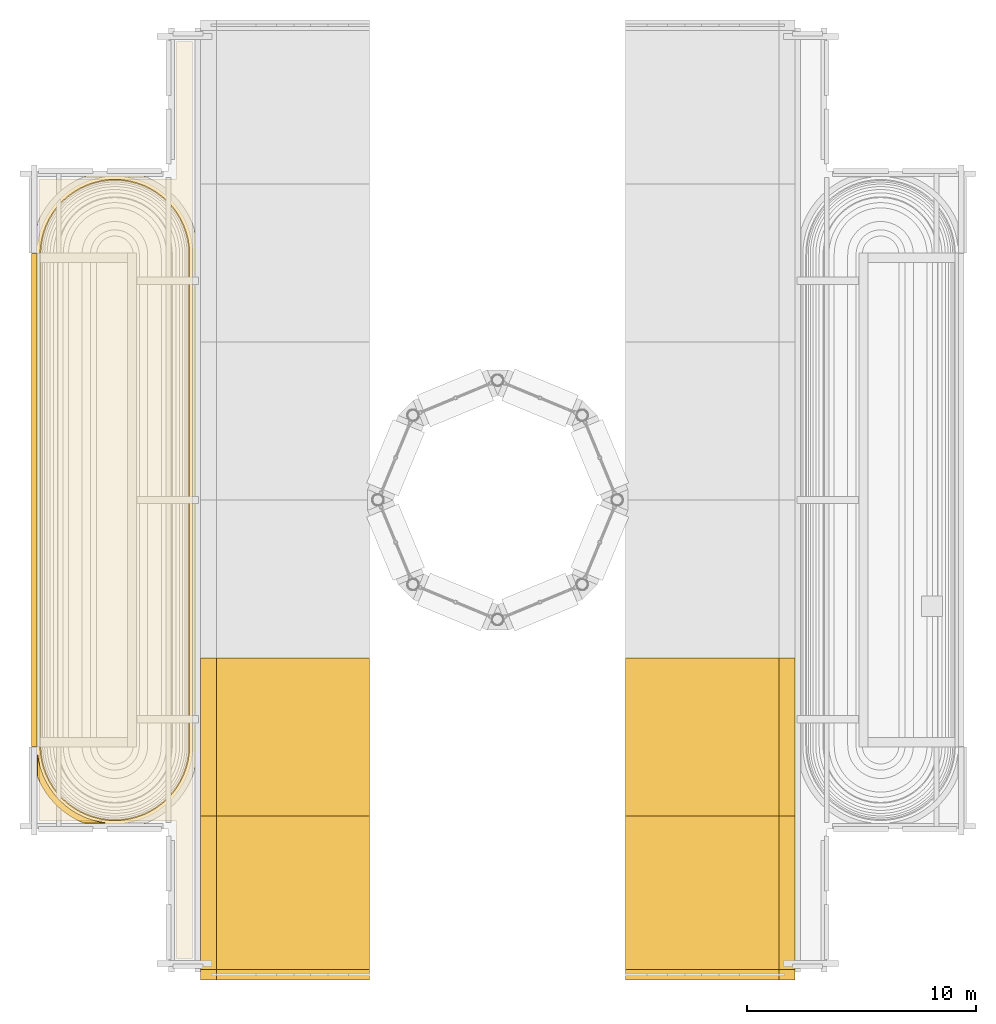
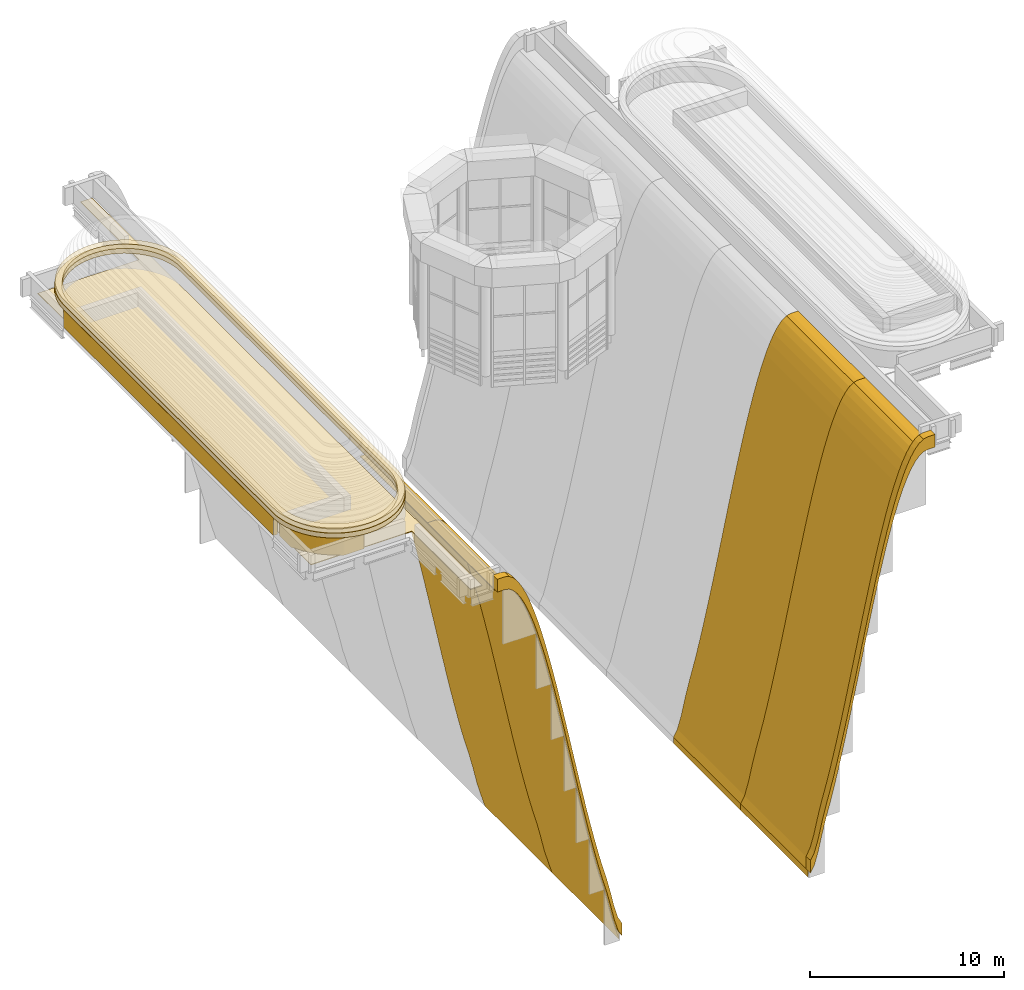
# One storey, part 8 of 14: 11 coverings.
"""IFC4 building model written with IfcOpenShell, lengths in metres."""

from ifc_helpers import new_model, si_unit, direction, frame, origin, place, context, subcontext, project, spatial, polyline, outline, extrude, material, layer, layer_set, type_object, element, save


model = new_model("IFC4")

# Units and contexts
model_context = context("Model", 3, precision=1e-05, world=origin(), true_north=direction((0.0, 1.0)))
body_context = subcontext(model_context, "Body", "Model", "MODEL_VIEW")
ifc_project = project(units=[si_unit("LENGTHUNIT", "METRE"), si_unit("AREAUNIT", "SQUARE_METRE"), si_unit("VOLUMEUNIT", "CUBIC_METRE"), si_unit("PLANEANGLEUNIT", "RADIAN"), si_unit("MASSUNIT", "GRAM", prefix="KILO")], contexts=[model_context])

# Site, building, storey
site_placement = place(None, origin())
site = spatial("IfcSite", under=ifc_project, at=site_placement, CompositionType="ELEMENT")
building_placement = place(site_placement, origin())
building = spatial("IfcBuilding", under=site, at=building_placement, Name="Cobrizo Arcos Hotel Tower", CompositionType="ELEMENT")
storey_placement = place(building_placement, frame((0.0, 0.0, 290.0)))
storey = spatial("IfcBuildingStorey", under=building, at=storey_placement, Name="RF", CompositionType="ELEMENT", Elevation=290.0)

# Coverings
ifc_material_1 = material(Name="Glass clear laminated low-e", Category="glass")
ifc_layer_1 = layer(ifc_material_1, 0.06005859375)
ifc_layer_set_1 = layer_set([ifc_layer_1], Name="CB-1 crown bowl glass skin 60")
covering_type_1 = type_object("IfcCoveringType", Name="CB-1 crown bowl glass skin 60", PredefinedType="CLADDING", material=ifc_layer_set_1)
covering_1_placement = place(storey_placement, frame((0.0, -13.816650390625, -24.5), z_axis=(0.0, 1.0, 0.0), x_axis=(-1.0, 0.0, 0.0)))
element("IfcCovering", 1, at=covering_1_placement, inside=storey, type_object=covering_type_1, Name="Crown bowl skin W2", PredefinedType="CLADDING", context=body_context, shape_type="SweptSolid", body=[
    extrude(outline(polyline([(5.8310546875, 0.764892578125), (6.06201171875, 1.552490234375), (6.29296875, 2.578125), (6.52392578125, 3.5), (6.74853515625, 4.288818359375), (6.97314453125, 5.139892578125), (7.197509765625, 6.045654296875), (7.422119140625, 7.0), (7.676513671875, 8.12939453125), (7.9306640625, 9.300048828125), (8.18505859375, 10.5), (8.42822265625, 11.664794921875), (8.671630859375, 12.835205078125), (8.9150390625, 14.0), (9.169189453125, 15.199951171875), (9.423583984375, 16.37060546875), (9.677978515625, 17.5), (9.90234375, 18.454345703125), (10.126953125, 19.360595703125), (10.3515625, 20.211181640625), (10.575927734375, 21.0), (10.82275390625, 21.78857421875), (11.069580078125, 22.4873046875), (11.31640625, 23.09033203125), (11.56298828125, 23.59130859375), (11.809814453125, 23.986083984375), (12.056396484375, 24.270751953125), (12.30322265625, 24.442626953125), (12.550048828125, 24.5), (12.77490234375, 24.5), (13.0, 24.5), (13.0, 24.56005859375), (12.77490234375, 24.56005859375), (12.550048828125, 24.56005859375), (12.30322265625, 24.502685546875), (12.056396484375, 24.330810546875), (11.809814453125, 24.046142578125), (11.56298828125, 23.6513671875), (11.31640625, 23.150390625), (11.069580078125, 22.54736328125), (10.82275390625, 21.8486328125), (10.575927734375, 21.06005859375), (10.3515625, 20.271240234375), (10.126953125, 19.420654296875), (9.90234375, 18.514404296875), (9.677978515625, 17.56005859375), (9.423583984375, 16.4306640625), (9.169189453125, 15.260009765625), (8.9150390625, 14.06005859375), (8.671630859375, 12.895263671875), (8.42822265625, 11.724853515625), (8.18505859375, 10.56005859375), (7.9306640625, 9.360107421875), (7.676513671875, 8.189453125), (7.422119140625, 7.06005859375), (7.197509765625, 6.105712890625), (6.97314453125, 5.19970703125), (6.74853515625, 4.348876953125), (6.52392578125, 3.56005859375), (6.29296875, 2.63818359375), (6.06201171875, 1.612548828125), (5.8310546875, 0.824951171875), (5.60009765625, 0.3984375), (5.60009765625, 0.0), (5.8310546875, 0.764892578125)])), origin(), (0.0, 0.0, 1.0), 6.908447265625),
])
covering_2_placement = place(storey_placement, frame((0.0, -13.816650390625, -24.5), z_axis=(0.0, 1.0, 0.0), x_axis=(-1.0, 0.0, 0.0)))
element("IfcCovering", 2, at=covering_2_placement, inside=storey, type_object=covering_type_1, Name="Crown bowl skin E2", PredefinedType="CLADDING", context=body_context, shape_type="SweptSolid", body=[
    extrude(outline(polyline([(-5.60009765625, 0.0), (-5.60009765625, 0.3984375), (-5.8310546875, 0.824951171875), (-6.06201171875, 1.612548828125), (-6.29296875, 2.63818359375), (-6.52392578125, 3.56005859375), (-6.74853515625, 4.348876953125), (-6.97314453125, 5.19970703125), (-7.197509765625, 6.105712890625), (-7.422119140625, 7.06005859375), (-7.676513671875, 8.189453125), (-7.9306640625, 9.360107421875), (-8.18505859375, 10.56005859375), (-8.42822265625, 11.724853515625), (-8.671630859375, 12.895263671875), (-8.9150390625, 14.06005859375), (-9.169189453125, 15.260009765625), (-9.423583984375, 16.4306640625), (-9.677978515625, 17.56005859375), (-9.90234375, 18.514404296875), (-10.126953125, 19.420654296875), (-10.3515625, 20.271240234375), (-10.575927734375, 21.06005859375), (-10.82275390625, 21.8486328125), (-11.069580078125, 22.54736328125), (-11.31640625, 23.150390625), (-11.56298828125, 23.6513671875), (-11.809814453125, 24.046142578125), (-12.056396484375, 24.330810546875), (-12.30322265625, 24.502685546875), (-12.550048828125, 24.56005859375), (-12.77490234375, 24.56005859375), (-13.0, 24.56005859375), (-13.0, 24.5), (-12.77490234375, 24.5), (-12.550048828125, 24.5), (-12.30322265625, 24.442626953125), (-12.056396484375, 24.270751953125), (-11.809814453125, 23.986083984375), (-11.56298828125, 23.59130859375), (-11.31640625, 23.09033203125), (-11.069580078125, 22.4873046875), (-10.82275390625, 21.78857421875), (-10.575927734375, 21.0), (-10.3515625, 20.211181640625), (-10.126953125, 19.360595703125), (-9.90234375, 18.454345703125), (-9.677978515625, 17.5), (-9.423583984375, 16.37060546875), (-9.169189453125, 15.199951171875), (-8.9150390625, 14.0), (-8.671630859375, 12.835205078125), (-8.42822265625, 11.664794921875), (-8.18505859375, 10.5), (-7.9306640625, 9.300048828125), (-7.676513671875, 8.12939453125), (-7.422119140625, 7.0), (-7.197509765625, 6.045654296875), (-6.97314453125, 5.139892578125), (-6.74853515625, 4.288818359375), (-6.52392578125, 3.5), (-6.29296875, 2.578125), (-6.06201171875, 1.552490234375), (-5.8310546875, 0.764892578125), (-5.60009765625, 0.0)])), origin(), (0.0, 0.0, 1.0), 6.908447265625),
])
ifc_material_2 = material(Name="Aluminium 6063-T6 anodised pale", Category="aluminium")
ifc_layer_2 = layer(ifc_material_2, 0.06005859375)
ifc_layer_set_2 = layer_set([ifc_layer_2], Name="CB-2 crown bowl metal skin 60")
covering_type_2 = type_object("IfcCoveringType", Name="CB-2 crown bowl metal skin 60", PredefinedType="CLADDING", material=ifc_layer_set_2)
covering_3_placement = place(storey_placement, frame((0.0, -20.72509765625, -24.5), z_axis=(0.0, 1.0, 0.0), x_axis=(-1.0, 0.0, 0.0)))
element("IfcCovering", 3, at=covering_3_placement, inside=storey, type_object=covering_type_2, Name="Crown bowl skin W1", PredefinedType="CLADDING", context=body_context, shape_type="SweptSolid", body=[
    extrude(outline(polyline([(5.8310546875, 0.764892578125), (6.06201171875, 1.552490234375), (6.29296875, 2.578125), (6.52392578125, 3.5), (6.74853515625, 4.288818359375), (6.97314453125, 5.139892578125), (7.197509765625, 6.045654296875), (7.422119140625, 7.0), (7.676513671875, 8.12939453125), (7.9306640625, 9.300048828125), (8.18505859375, 10.5), (8.42822265625, 11.664794921875), (8.671630859375, 12.835205078125), (8.9150390625, 14.0), (9.169189453125, 15.199951171875), (9.423583984375, 16.37060546875), (9.677978515625, 17.5), (9.90234375, 18.454345703125), (10.126953125, 19.360595703125), (10.3515625, 20.211181640625), (10.575927734375, 21.0), (10.82275390625, 21.78857421875), (11.069580078125, 22.4873046875), (11.31640625, 23.09033203125), (11.56298828125, 23.59130859375), (11.809814453125, 23.986083984375), (12.056396484375, 24.270751953125), (12.30322265625, 24.442626953125), (12.550048828125, 24.5), (12.77490234375, 24.5), (13.0, 24.5), (13.0, 24.56005859375), (12.77490234375, 24.56005859375), (12.550048828125, 24.56005859375), (12.30322265625, 24.502685546875), (12.056396484375, 24.330810546875), (11.809814453125, 24.046142578125), (11.56298828125, 23.6513671875), (11.31640625, 23.150390625), (11.069580078125, 22.54736328125), (10.82275390625, 21.8486328125), (10.575927734375, 21.06005859375), (10.3515625, 20.271240234375), (10.126953125, 19.420654296875), (9.90234375, 18.514404296875), (9.677978515625, 17.56005859375), (9.423583984375, 16.4306640625), (9.169189453125, 15.260009765625), (8.9150390625, 14.06005859375), (8.671630859375, 12.895263671875), (8.42822265625, 11.724853515625), (8.18505859375, 10.56005859375), (7.9306640625, 9.360107421875), (7.676513671875, 8.189453125), (7.422119140625, 7.06005859375), (7.197509765625, 6.105712890625), (6.97314453125, 5.19970703125), (6.74853515625, 4.348876953125), (6.52392578125, 3.56005859375), (6.29296875, 2.63818359375), (6.06201171875, 1.612548828125), (5.8310546875, 0.824951171875), (5.60009765625, 0.3984375), (5.60009765625, 0.0), (5.8310546875, 0.764892578125)])), origin(), (0.0, 0.0, 1.0), 6.908447265625),
])
covering_4_placement = place(storey_placement, frame((0.0, -20.72509765625, -24.5), z_axis=(0.0, 1.0, 0.0), x_axis=(-1.0, 0.0, 0.0)))
element("IfcCovering", 4, at=covering_4_placement, inside=storey, type_object=covering_type_2, Name="Crown bowl skin E1", PredefinedType="CLADDING", context=body_context, shape_type="SweptSolid", body=[
    extrude(outline(polyline([(-5.60009765625, 0.0), (-5.60009765625, 0.3984375), (-5.8310546875, 0.824951171875), (-6.06201171875, 1.612548828125), (-6.29296875, 2.63818359375), (-6.52392578125, 3.56005859375), (-6.74853515625, 4.348876953125), (-6.97314453125, 5.19970703125), (-7.197509765625, 6.105712890625), (-7.422119140625, 7.06005859375), (-7.676513671875, 8.189453125), (-7.9306640625, 9.360107421875), (-8.18505859375, 10.56005859375), (-8.42822265625, 11.724853515625), (-8.671630859375, 12.895263671875), (-8.9150390625, 14.06005859375), (-9.169189453125, 15.260009765625), (-9.423583984375, 16.4306640625), (-9.677978515625, 17.56005859375), (-9.90234375, 18.514404296875), (-10.126953125, 19.420654296875), (-10.3515625, 20.271240234375), (-10.575927734375, 21.06005859375), (-10.82275390625, 21.8486328125), (-11.069580078125, 22.54736328125), (-11.31640625, 23.150390625), (-11.56298828125, 23.6513671875), (-11.809814453125, 24.046142578125), (-12.056396484375, 24.330810546875), (-12.30322265625, 24.502685546875), (-12.550048828125, 24.56005859375), (-12.77490234375, 24.56005859375), (-13.0, 24.56005859375), (-13.0, 24.5), (-12.77490234375, 24.5), (-12.550048828125, 24.5), (-12.30322265625, 24.442626953125), (-12.056396484375, 24.270751953125), (-11.809814453125, 23.986083984375), (-11.56298828125, 23.59130859375), (-11.31640625, 23.09033203125), (-11.069580078125, 22.4873046875), (-10.82275390625, 21.78857421875), (-10.575927734375, 21.0), (-10.3515625, 20.211181640625), (-10.126953125, 19.360595703125), (-9.90234375, 18.454345703125), (-9.677978515625, 17.5), (-9.423583984375, 16.37060546875), (-9.169189453125, 15.199951171875), (-8.9150390625, 14.0), (-8.671630859375, 12.835205078125), (-8.42822265625, 11.664794921875), (-8.18505859375, 10.5), (-7.9306640625, 9.300048828125), (-7.676513671875, 8.12939453125), (-7.422119140625, 7.0), (-7.197509765625, 6.045654296875), (-6.97314453125, 5.139892578125), (-6.74853515625, 4.288818359375), (-6.52392578125, 3.5), (-6.29296875, 2.578125), (-6.06201171875, 1.552490234375), (-5.8310546875, 0.764892578125), (-5.60009765625, 0.0)])), origin(), (0.0, 0.0, 1.0), 6.908447265625),
])
ifc_layer_3 = layer(ifc_material_2, 0.449951171875)
ifc_layer_set_3 = layer_set([ifc_layer_3], Name="CB-6 crown cheek fascia 800x450")
covering_type_3 = type_object("IfcCoveringType", Name="CB-6 crown cheek fascia 800x450", PredefinedType="CLADDING", material=ifc_layer_set_3)
covering_5_placement = place(storey_placement, frame((0.0, -21.0, -24.5), z_axis=(0.0, 1.0, 0.0), x_axis=(-1.0, 0.0, 0.0)))
element("IfcCovering", 5, at=covering_5_placement, inside=storey, type_object=covering_type_3, Name="Crown cheek fascia WS", PredefinedType="CLADDING", context=body_context, shape_type="SweptSolid", body=[
    extrude(outline(polyline([(5.60009765625, 1.198486328125), (5.8310546875, 1.625), (6.06201171875, 2.41259765625), (6.29296875, 3.43798828125), (6.52392578125, 4.360107421875), (6.74853515625, 5.148681640625), (6.97314453125, 5.999755859375), (7.197509765625, 6.90576171875), (7.422119140625, 7.860107421875), (7.676513671875, 8.989501953125), (7.9306640625, 10.16015625), (8.18505859375, 11.360107421875), (8.42822265625, 12.52490234375), (8.671630859375, 13.6953125), (8.9150390625, 14.860107421875), (9.169189453125, 16.059814453125), (9.423583984375, 17.230712890625), (9.677978515625, 18.360107421875), (9.90234375, 19.314208984375), (10.126953125, 20.220703125), (10.3515625, 21.0712890625), (10.575927734375, 21.860107421875), (10.82275390625, 22.648681640625), (11.069580078125, 23.347412109375), (11.31640625, 23.9501953125), (11.56298828125, 24.451416015625), (11.809814453125, 24.84619140625), (12.056396484375, 25.130615234375), (12.30322265625, 25.302490234375), (12.550048828125, 25.360107421875), (12.77490234375, 25.360107421875), (13.0, 25.360107421875), (13.0, 24.56005859375), (12.77490234375, 24.56005859375), (12.550048828125, 24.56005859375), (12.30322265625, 24.502685546875), (12.056396484375, 24.330810546875), (11.809814453125, 24.046142578125), (11.56298828125, 23.6513671875), (11.31640625, 23.150390625), (11.069580078125, 22.54736328125), (10.82275390625, 21.8486328125), (10.575927734375, 21.06005859375), (10.3515625, 20.271240234375), (10.126953125, 19.420654296875), (9.90234375, 18.514404296875), (9.677978515625, 17.56005859375), (9.423583984375, 16.4306640625), (9.169189453125, 15.260009765625), (8.9150390625, 14.06005859375), (8.671630859375, 12.895263671875), (8.42822265625, 11.724853515625), (8.18505859375, 10.56005859375), (7.9306640625, 9.360107421875), (7.676513671875, 8.189453125), (7.422119140625, 7.06005859375), (7.197509765625, 6.105712890625), (6.97314453125, 5.19970703125), (6.74853515625, 4.348876953125), (6.52392578125, 3.56005859375), (6.29296875, 2.63818359375), (6.06201171875, 1.612548828125), (5.8310546875, 0.824951171875), (5.60009765625, 0.3984375), (5.60009765625, 1.198486328125)])), origin(), (0.0, 0.0, 1.0), 0.449951171875),
])
covering_6_placement = place(storey_placement, frame((0.0, -21.0, -24.5), z_axis=(0.0, 1.0, 0.0), x_axis=(-1.0, 0.0, 0.0)))
element("IfcCovering", 6, at=covering_6_placement, inside=storey, type_object=covering_type_3, Name="Crown cheek fascia ES", PredefinedType="CLADDING", context=body_context, shape_type="SweptSolid", body=[
    extrude(outline(polyline([(-5.60009765625, 0.3984375), (-5.8310546875, 0.824951171875), (-6.06201171875, 1.612548828125), (-6.29296875, 2.63818359375), (-6.52392578125, 3.56005859375), (-6.74853515625, 4.348876953125), (-6.97314453125, 5.19970703125), (-7.197509765625, 6.105712890625), (-7.422119140625, 7.06005859375), (-7.676513671875, 8.189453125), (-7.9306640625, 9.360107421875), (-8.18505859375, 10.56005859375), (-8.42822265625, 11.724853515625), (-8.671630859375, 12.895263671875), (-8.9150390625, 14.06005859375), (-9.169189453125, 15.260009765625), (-9.423583984375, 16.4306640625), (-9.677978515625, 17.56005859375), (-9.90234375, 18.514404296875), (-10.126953125, 19.420654296875), (-10.3515625, 20.271240234375), (-10.575927734375, 21.06005859375), (-10.82275390625, 21.8486328125), (-11.069580078125, 22.54736328125), (-11.31640625, 23.150390625), (-11.56298828125, 23.6513671875), (-11.809814453125, 24.046142578125), (-12.056396484375, 24.330810546875), (-12.30322265625, 24.502685546875), (-12.550048828125, 24.56005859375), (-12.77490234375, 24.56005859375), (-13.0, 24.56005859375), (-13.0, 25.360107421875), (-12.77490234375, 25.360107421875), (-12.550048828125, 25.360107421875), (-12.30322265625, 25.302490234375), (-12.056396484375, 25.130615234375), (-11.809814453125, 24.84619140625), (-11.56298828125, 24.451416015625), (-11.31640625, 23.9501953125), (-11.069580078125, 23.347412109375), (-10.82275390625, 22.648681640625), (-10.575927734375, 21.860107421875), (-10.3515625, 21.0712890625), (-10.126953125, 20.220703125), (-9.90234375, 19.314208984375), (-9.677978515625, 18.360107421875), (-9.423583984375, 17.230712890625), (-9.169189453125, 16.059814453125), (-8.9150390625, 14.860107421875), (-8.671630859375, 13.6953125), (-8.42822265625, 12.52490234375), (-8.18505859375, 11.360107421875), (-7.9306640625, 10.16015625), (-7.676513671875, 8.989501953125), (-7.422119140625, 7.860107421875), (-7.197509765625, 6.90576171875), (-6.97314453125, 5.999755859375), (-6.74853515625, 5.148681640625), (-6.52392578125, 4.360107421875), (-6.29296875, 3.43798828125), (-6.06201171875, 2.41259765625), (-5.8310546875, 1.625), (-5.60009765625, 1.198486328125), (-5.60009765625, 0.3984375)])), origin(), (0.0, 0.0, 1.0), 0.449951171875),
])
ifc_layer_4 = layer(ifc_material_2, 0.35009765625)
ifc_layer_set_4 = layer_set([ifc_layer_4], Name="CB-7 shoulder roll course 350")
covering_type_4 = type_object("IfcCoveringType", Name="CB-7 shoulder roll course 350", PredefinedType="CLADDING", material=ifc_layer_set_4)
covering_7_placement = place(storey_placement, frame((0.0, 0.0, 1.10009765625)))
element("IfcCovering", 7, at=covering_7_placement, inside=storey, type_object=covering_type_4, Name="Shoulder roll W course 1", PredefinedType="CLADDING", context=body_context, shape_type="SweptSolid", body=[
    extrude(outline(polyline([(-20.397216796875, 10.75), (-20.379638671875, 11.107421875), (-20.3271484375, 11.46142578125), (-20.239990234375, 11.80859375), (-20.11962890625, 12.145751953125), (-19.966552734375, 12.46923828125), (-19.782470703125, 12.7763671875), (-19.5693359375, 13.063720703125), (-19.3291015625, 13.3291015625), (-19.063720703125, 13.5693359375), (-18.7763671875, 13.782470703125), (-18.46923828125, 13.966552734375), (-18.145751953125, 14.11962890625), (-17.80859375, 14.239990234375), (-17.46142578125, 14.3271484375), (-17.107421875, 14.379638671875), (-16.75, 14.397216796875), (-16.392578125, 14.379638671875), (-16.03857421875, 14.3271484375), (-15.69140625, 14.239990234375), (-15.354248046875, 14.11962890625), (-15.03076171875, 13.966552734375), (-14.7236328125, 13.782470703125), (-14.436279296875, 13.5693359375), (-14.1708984375, 13.3291015625), (-13.9306640625, 13.063720703125), (-13.717529296875, 12.7763671875), (-13.533447265625, 12.46923828125), (-13.38037109375, 12.145751953125), (-13.260009765625, 11.80859375), (-13.1728515625, 11.46142578125), (-13.120361328125, 11.107421875), (-13.102783203125, 10.75), (-13.102783203125, -10.75), (-13.120361328125, -11.107421875), (-13.1728515625, -11.46142578125), (-13.260009765625, -11.80859375), (-13.38037109375, -12.145751953125), (-13.533447265625, -12.46923828125), (-13.717529296875, -12.7763671875), (-13.9306640625, -13.063720703125), (-14.1708984375, -13.3291015625), (-14.436279296875, -13.5693359375), (-14.7236328125, -13.782470703125), (-15.03076171875, -13.966552734375), (-15.354248046875, -14.11962890625), (-15.69140625, -14.239990234375), (-16.03857421875, -14.3271484375), (-16.392578125, -14.379638671875), (-16.75, -14.397216796875), (-17.107421875, -14.379638671875), (-17.46142578125, -14.3271484375), (-17.80859375, -14.239990234375), (-18.145751953125, -14.11962890625), (-18.46923828125, -13.966552734375), (-18.7763671875, -13.782470703125), (-19.063720703125, -13.5693359375), (-19.3291015625, -13.3291015625), (-19.5693359375, -13.063720703125), (-19.782470703125, -12.7763671875), (-19.966552734375, -12.46923828125), (-20.11962890625, -12.145751953125), (-20.239990234375, -11.80859375), (-20.3271484375, -11.46142578125), (-20.379638671875, -11.107421875), (-20.397216796875, -10.75), (-20.397216796875, 10.75)]), holes=[polyline([(-20.024658203125, 10.74072265625), (-20.008544921875, 11.07080078125), (-19.96142578125, 11.388916015625), (-19.88330078125, 11.700439453125), (-19.77490234375, 12.0029296875), (-19.6376953125, 12.29345703125), (-19.472412109375, 12.569091796875), (-19.281005859375, 12.8271484375), (-19.065185546875, 13.065185546875), (-18.8271484375, 13.281005859375), (-18.569091796875, 13.472412109375), (-18.29345703125, 13.6376953125), (-18.0029296875, 13.77490234375), (-17.700439453125, 13.88330078125), (-17.388916015625, 13.96142578125), (-17.07080078125, 14.008544921875), (-16.75, 14.0244140625), (-16.42919921875, 14.008544921875), (-16.111083984375, 13.96142578125), (-15.799560546875, 13.88330078125), (-15.4970703125, 13.77490234375), (-15.20654296875, 13.6376953125), (-14.930908203125, 13.472412109375), (-14.6728515625, 13.281005859375), (-14.434814453125, 13.065185546875), (-14.218994140625, 12.8271484375), (-14.027587890625, 12.569091796875), (-13.8623046875, 12.29345703125), (-13.72509765625, 12.0029296875), (-13.61669921875, 11.700439453125), (-13.53857421875, 11.388916015625), (-13.491455078125, 11.07080078125), (-13.475341796875, 10.74072265625), (-13.475341796875, -10.74072265625), (-13.491455078125, -11.07080078125), (-13.53857421875, -11.388916015625), (-13.61669921875, -11.700439453125), (-13.72509765625, -12.0029296875), (-13.8623046875, -12.29345703125), (-14.027587890625, -12.569091796875), (-14.218994140625, -12.8271484375), (-14.434814453125, -13.065185546875), (-14.6728515625, -13.281005859375), (-14.930908203125, -13.472412109375), (-15.20654296875, -13.6376953125), (-15.4970703125, -13.77490234375), (-15.799560546875, -13.88330078125), (-16.111083984375, -13.96142578125), (-16.42919921875, -14.008544921875), (-16.75, -14.0244140625), (-17.07080078125, -14.008544921875), (-17.388916015625, -13.96142578125), (-17.700439453125, -13.88330078125), (-18.0029296875, -13.77490234375), (-18.29345703125, -13.6376953125), (-18.569091796875, -13.472412109375), (-18.8271484375, -13.281005859375), (-19.065185546875, -13.065185546875), (-19.281005859375, -12.8271484375), (-19.472412109375, -12.569091796875), (-19.6376953125, -12.29345703125), (-19.77490234375, -12.0029296875), (-19.88330078125, -11.700439453125), (-19.96142578125, -11.388916015625), (-20.008544921875, -11.07080078125), (-20.024658203125, -10.74072265625), (-20.024658203125, 10.74072265625)])]), origin(), (0.0, 0.0, 1.0), 0.305908203125),
])
covering_8_placement = place(storey_placement, frame((0.0, 0.0, 1.406005859375)))
element("IfcCovering", 8, at=covering_8_placement, inside=storey, type_object=covering_type_4, Name="Shoulder roll W course 2", PredefinedType="CLADDING", context=body_context, shape_type="SweptSolid", body=[
    extrude(outline(polyline([(-20.374755859375, 10.74951171875), (-20.357421875, 11.105224609375), (-20.30517578125, 11.45703125), (-20.218505859375, 11.80224609375), (-20.098876953125, 12.13720703125), (-19.94677734375, 12.458740234375), (-19.763916015625, 12.763916015625), (-19.552001953125, 13.049560546875), (-19.31298828125, 13.31298828125), (-19.049560546875, 13.552001953125), (-18.763916015625, 13.763916015625), (-18.458740234375, 13.94677734375), (-18.13720703125, 14.098876953125), (-17.80224609375, 14.218505859375), (-17.45703125, 14.30517578125), (-17.105224609375, 14.357421875), (-16.75, 14.374755859375), (-16.394775390625, 14.357421875), (-16.04296875, 14.30517578125), (-15.69775390625, 14.218505859375), (-15.36279296875, 14.098876953125), (-15.041259765625, 13.94677734375), (-14.736083984375, 13.763916015625), (-14.450439453125, 13.552001953125), (-14.18701171875, 13.31298828125), (-13.947998046875, 13.049560546875), (-13.736083984375, 12.763916015625), (-13.55322265625, 12.458740234375), (-13.401123046875, 12.13720703125), (-13.281494140625, 11.80224609375), (-13.19482421875, 11.45703125), (-13.142578125, 11.105224609375), (-13.125244140625, 10.74951171875), (-13.125244140625, -10.74951171875), (-13.142578125, -11.105224609375), (-13.19482421875, -11.45703125), (-13.281494140625, -11.80224609375), (-13.401123046875, -12.13720703125), (-13.55322265625, -12.458740234375), (-13.736083984375, -12.763916015625), (-13.947998046875, -13.049560546875), (-14.18701171875, -13.31298828125), (-14.450439453125, -13.552001953125), (-14.736083984375, -13.763916015625), (-15.041259765625, -13.94677734375), (-15.36279296875, -14.098876953125), (-15.69775390625, -14.218505859375), (-16.04296875, -14.30517578125), (-16.394775390625, -14.357421875), (-16.75, -14.374755859375), (-17.105224609375, -14.357421875), (-17.45703125, -14.30517578125), (-17.80224609375, -14.218505859375), (-18.13720703125, -14.098876953125), (-18.458740234375, -13.94677734375), (-18.763916015625, -13.763916015625), (-19.049560546875, -13.552001953125), (-19.31298828125, -13.31298828125), (-19.552001953125, -13.049560546875), (-19.763916015625, -12.763916015625), (-19.94677734375, -12.458740234375), (-20.098876953125, -12.13720703125), (-20.218505859375, -11.80224609375), (-20.30517578125, -11.45703125), (-20.357421875, -11.105224609375), (-20.374755859375, -10.74951171875), (-20.374755859375, 10.74951171875)]), holes=[polyline([(-19.97998046875, 10.73974609375), (-19.9638671875, 11.06640625), (-19.91748046875, 11.3798828125), (-19.84033203125, 11.6875), (-19.733642578125, 11.98583984375), (-19.59814453125, 12.2724609375), (-19.435302734375, 12.544189453125), (-19.246337890625, 12.798828125), (-19.03369140625, 13.03369140625), (-18.798828125, 13.246337890625), (-18.544189453125, 13.435302734375), (-18.2724609375, 13.59814453125), (-17.98583984375, 13.733642578125), (-17.6875, 13.84033203125), (-17.3798828125, 13.91748046875), (-17.06640625, 13.9638671875), (-16.75, 13.9794921875), (-16.43359375, 13.9638671875), (-16.1201171875, 13.91748046875), (-15.8125, 13.84033203125), (-15.51416015625, 13.733642578125), (-15.2275390625, 13.59814453125), (-14.955810546875, 13.435302734375), (-14.701171875, 13.246337890625), (-14.46630859375, 13.03369140625), (-14.253662109375, 12.798828125), (-14.064697265625, 12.544189453125), (-13.90185546875, 12.2724609375), (-13.766357421875, 11.98583984375), (-13.65966796875, 11.6875), (-13.58251953125, 11.3798828125), (-13.5361328125, 11.06640625), (-13.52001953125, 10.73974609375), (-13.52001953125, -10.73974609375), (-13.5361328125, -11.06640625), (-13.58251953125, -11.3798828125), (-13.65966796875, -11.6875), (-13.766357421875, -11.98583984375), (-13.90185546875, -12.2724609375), (-14.064697265625, -12.544189453125), (-14.253662109375, -12.798828125), (-14.46630859375, -13.03369140625), (-14.701171875, -13.246337890625), (-14.955810546875, -13.435302734375), (-15.2275390625, -13.59814453125), (-15.51416015625, -13.733642578125), (-15.8125, -13.84033203125), (-16.1201171875, -13.91748046875), (-16.43359375, -13.9638671875), (-16.75, -13.9794921875), (-17.06640625, -13.9638671875), (-17.3798828125, -13.91748046875), (-17.6875, -13.84033203125), (-17.98583984375, -13.733642578125), (-18.2724609375, -13.59814453125), (-18.544189453125, -13.435302734375), (-18.798828125, -13.246337890625), (-19.03369140625, -13.03369140625), (-19.246337890625, -12.798828125), (-19.435302734375, -12.544189453125), (-19.59814453125, -12.2724609375), (-19.733642578125, -11.98583984375), (-19.84033203125, -11.6875), (-19.91748046875, -11.3798828125), (-19.9638671875, -11.06640625), (-19.97998046875, -10.73974609375), (-19.97998046875, 10.73974609375)])]), origin(), (0.0, 0.0, 1.0), 0.30419921875),
])
ifc_layer_5 = layer(ifc_material_2, 0.25)
ifc_layer_set_5 = layer_set([ifc_layer_5], Name="CB-8 shoulder roll skirt 250")
covering_type_5 = type_object("IfcCoveringType", Name="CB-8 shoulder roll skirt 250", PredefinedType="CLADDING", material=ifc_layer_set_5)
covering_9_placement = place(storey_placement, origin())
element("IfcCovering", 9, at=covering_9_placement, inside=storey, type_object=covering_type_5, Name="Shoulder roll skirt W3", PredefinedType="CLADDING", context=body_context, shape_type="SweptSolid", body=[
    extrude(outline(polyline([(-18.146728515625, -14.122314453125), (-18.470703125, -13.968994140625), (-18.77783203125, -13.784912109375), (-19.0654296875, -13.571533203125), (-19.330810546875, -13.330810546875), (-19.571533203125, -13.0654296875), (-19.784912109375, -12.77783203125), (-19.968994140625, -12.470703125), (-20.122314453125, -12.146728515625), (-20.139892578125, -12.096923828125), (-20.139892578125, -10.947509765625), (-20.13330078125, -11.083251953125), (-20.08447265625, -11.4130859375), (-20.00341796875, -11.73681640625), (-19.890869140625, -12.051025390625), (-19.748291015625, -12.3525390625), (-19.57666015625, -12.638916015625), (-19.3779296875, -12.90673828125), (-19.15380859375, -13.15380859375), (-18.90673828125, -13.3779296875), (-18.638916015625, -13.57666015625), (-18.3525390625, -13.748291015625), (-18.051025390625, -13.890869140625), (-17.73681640625, -14.00341796875), (-17.4130859375, -14.08447265625), (-17.083251953125, -14.13330078125), (-16.947509765625, -14.139892578125), (-18.096923828125, -14.139892578125), (-18.146728515625, -14.122314453125)])), origin(), (0.0, 0.0, 1.0), 1.10009765625),
])
covering_10_placement = place(storey_placement, origin())
element("IfcCovering", 10, at=covering_10_placement, inside=storey, type_object=covering_type_5, Name="Shoulder roll skirt W4", PredefinedType="CLADDING", context=body_context, shape_type="SweptSolid", body=[
    extrude(outline(polyline([(-20.39990234375, -10.75), (-20.39990234375, 10.75), (-20.39794921875, 10.7900390625), (-20.14990234375, 10.7900390625), (-20.14892578125, 10.7900390625), (-20.14794921875, 10.790283203125), (-20.147705078125, 10.790283203125), (-20.14990234375, 10.743896484375), (-20.14990234375, -10.743896484375), (-20.147705078125, -10.790283203125), (-20.14794921875, -10.790283203125), (-20.14892578125, -10.7900390625), (-20.14990234375, -10.7900390625), (-20.39794921875, -10.7900390625), (-20.39990234375, -10.75)])), origin(), (0.0, 0.0, 1.0), 1.10009765625),
])
ifc_material_3 = material(Name="Roof membrane TPO single ply")
ifc_layer_6 = layer(ifc_material_3, 0.0400390625)
ifc_layer_set_6 = layer_set([ifc_layer_6], Name="RC-1 roof covering")
covering_type_6 = type_object("IfcCoveringType", Name="RC-1 roof covering", PredefinedType="ROOFING", material=ifc_layer_set_6)
covering_11_placement = place(storey_placement, origin())
element("IfcCovering", 11, at=covering_11_placement, inside=storey, type_object=covering_type_6, Name="Roof covering L76 2", PredefinedType="ROOFING", context=body_context, shape_type="SweptSolid", body=[
    extrude(outline(polyline([(-14.050048828125, -20.050048828125), (-14.050048828125, -14.050048828125), (-20.050048828125, -14.050048828125), (-20.050048828125, 14.050048828125), (-14.050048828125, 14.050048828125), (-14.050048828125, 20.050048828125), (-13.35009765625, 20.050048828125), (-13.35009765625, -20.050048828125), (-14.050048828125, -20.050048828125)])), origin(), (0.0, 0.0, 1.0), 0.0400390625),
])

save(model, "model.ifc")
